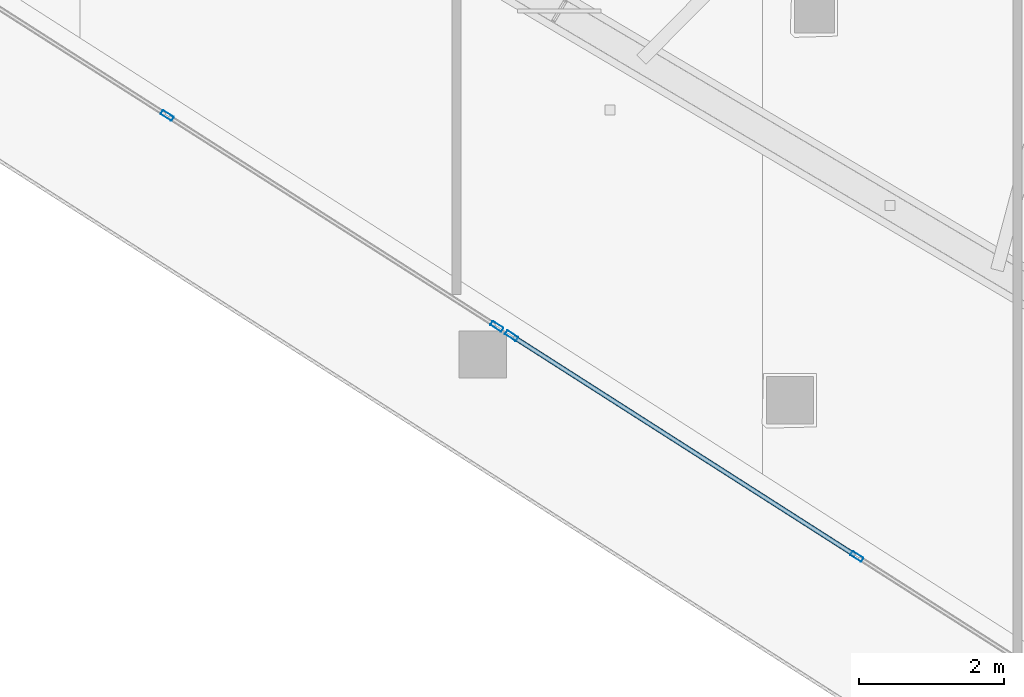
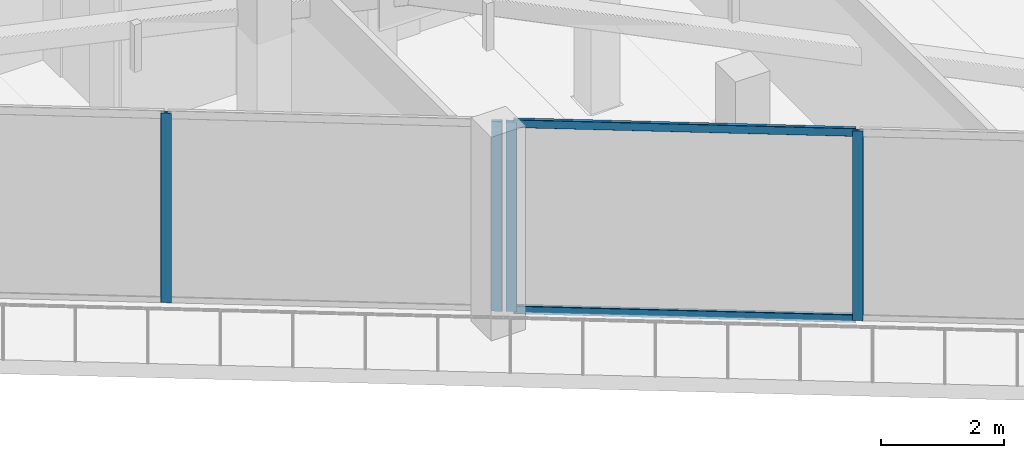
# One storey, part 2 of 45: 6 members, 2 elements without a shape of their own.
"""IFC4 building model written with IfcOpenShell, lengths in metres."""

from ifc_helpers import new_model, si_unit, direction, frame, origin, origin_2d, place, context, subcontext, project, spatial, hollow_rectangle, extrude, material, layer, layer_set, material_profile, profile_set, type_object, element, aggregate, save


model = new_model("IFC4")

# Units and contexts
model_context = context("Model", 3, precision=1e-05, world=origin(), true_north=direction((0.0, 1.0)))
body_context = subcontext(model_context, "Body", "Model", "MODEL_VIEW")
ifc_project = project(units=[si_unit("LENGTHUNIT", "METRE"), si_unit("AREAUNIT", "SQUARE_METRE"), si_unit("VOLUMEUNIT", "CUBIC_METRE"), si_unit("PLANEANGLEUNIT", "RADIAN"), si_unit("MASSUNIT", "GRAM", prefix="KILO")], contexts=[model_context])

# Site, building, storey
site_placement = place(None, origin())
site = spatial("IfcSite", under=ifc_project, at=site_placement, CompositionType="ELEMENT")
building_placement = place(site_placement, origin())
building = spatial("IfcBuilding", under=site, at=building_placement, Name="Qorvath Tower", CompositionType="ELEMENT")
storey_placement = place(building_placement, frame((0.0, 0.0, 126.0)))
storey = spatial("IfcBuildingStorey", under=building, at=storey_placement, Name="L28", CompositionType="ELEMENT", Elevation=126.0)

# Curtain wall, members
ifc_material_1 = material(Name="Anodised aluminium and triple low-E glass", Category="aluminium")
ifc_layer = layer(ifc_material_1, 0.179931640625)
ifc_layer_set = layer_set([ifc_layer], Name="CW-SYS-2")
curtain_wall_type = type_object("IfcCurtainWallType", Name="CW-SYS-2", PredefinedType="NOTDEFINED", material=ifc_layer_set)
curtain_wall_1_placement = place(storey_placement, origin())
curtain_wall_1 = element("IfcCurtainWall", 1, at=curtain_wall_1_placement, inside=storey, type_object=curtain_wall_type, Name="Curtain Wall CW-2 CW-T-L28-2.1", PredefinedType="NOTDEFINED")
ifc_material_2 = material(Name="Anodised aluminium 6063-T6", Category="aluminium")
ifc_material_profile_1 = material_profile(ifc_material_2, hollow_rectangle(XDim=0.06494140625, YDim=0.179931640625, WallThickness=0.00341796875, InnerFilletRadius=0.00341796875, OuterFilletRadius=0.007080078125, at=origin_2d()), Name="CWM 180x65")
ifc_profile_set_1 = profile_set([ifc_material_profile_1], Name="Anodised aluminium 6063-T6")
member_type_1 = type_object("IfcMemberType", Name="CWM-180", PredefinedType="MULLION", material=ifc_profile_set_1)
member_1_placement = place(storey_placement, frame((-39.60107421875, -15.537109375, 0.0), z_axis=(0.0, 0.0, 1.0), x_axis=(0.538534177075, 0.842603667285, 0.0)))
member_1 = element("IfcMember", 2, at=member_1_placement, type_object=member_type_1, Name="CW-2 mullion 5", PredefinedType="MULLION", context=body_context, shape_type="SweptSolid", body=[
    extrude(hollow_rectangle(XDim=0.06494140625, YDim=0.179931640625, WallThickness=0.00341796875, InnerFilletRadius=0.00341796875, OuterFilletRadius=0.007080078125, at=origin_2d()), origin(), (0.0, 0.0, 1.0), 3.77001953125),
])
member_2_placement = place(storey_placement, frame((-35.056396484375, -18.441650390625, 0.0), z_axis=(0.0, 0.0, 1.0), x_axis=(0.538534177075, 0.842603667285, 0.0)))
member_2 = element("IfcMember", 3, at=member_2_placement, type_object=member_type_1, Name="CW-2 mullion 6", PredefinedType="MULLION", context=body_context, shape_type="SweptSolid", body=[
    extrude(hollow_rectangle(XDim=0.06494140625, YDim=0.179931640625, WallThickness=0.00341796875, InnerFilletRadius=0.00341796875, OuterFilletRadius=0.007080078125, at=origin_2d()), origin(), (0.0, 0.0, 1.0), 3.77001953125),
])
aggregate(curtain_wall_1, [member_1, member_2])

curtain_wall_2_placement = place(storey_placement, origin())
curtain_wall_2 = element("IfcCurtainWall", 4, at=curtain_wall_2_placement, inside=storey, type_object=curtain_wall_type, Name="Curtain Wall CW-2 CW-T-L28-2.2", PredefinedType="NOTDEFINED")
member_3_placement = place(storey_placement, frame((-34.854248046875, -18.571044921875, 0.0), z_axis=(0.0, 0.0, 1.0), x_axis=(0.538536165559, 0.84260239638, 0.0)))
member_3 = element("IfcMember", 5, at=member_3_placement, type_object=member_type_1, Name="CW-2 mullion 1", PredefinedType="MULLION", context=body_context, shape_type="SweptSolid", body=[
    extrude(hollow_rectangle(XDim=0.06494140625, YDim=0.179931640625, WallThickness=0.00341796875, InnerFilletRadius=0.00341796875, OuterFilletRadius=0.007080078125, at=origin_2d()), origin(), (0.0, 0.0, 1.0), 3.77001953125),
])
member_4_placement = place(storey_placement, frame((-30.095458984375, -21.612548828125, 0.0), z_axis=(0.0, 0.0, 1.0), x_axis=(0.538536165559, 0.84260239638, 0.0)))
member_4 = element("IfcMember", 6, at=member_4_placement, type_object=member_type_1, Name="CW-2 mullion 2", PredefinedType="MULLION", context=body_context, shape_type="SweptSolid", body=[
    extrude(hollow_rectangle(XDim=0.06494140625, YDim=0.179931640625, WallThickness=0.00341796875, InnerFilletRadius=0.00341796875, OuterFilletRadius=0.007080078125, at=origin_2d()), origin(), (0.0, 0.0, 1.0), 3.77001953125),
])
ifc_material_3 = material(Name="Anodised aluminium 6063-T6", Category="aluminium")
ifc_material_profile_2 = material_profile(ifc_material_3, hollow_rectangle(XDim=0.06494140625, YDim=0.159912109375, WallThickness=0.00341796875, InnerFilletRadius=0.00341796875, OuterFilletRadius=0.007080078125, at=origin_2d()), Name="CWT 160x65")
ifc_profile_set_2 = profile_set([ifc_material_profile_2], Name="Anodised aluminium 6063-T6")
member_type_2 = type_object("IfcMemberType", Name="CWT-160", PredefinedType="USERDEFINED", material=ifc_profile_set_2)
member_5_placement = place(storey_placement, frame((-34.826904296875, -18.588623046875, 0.032470703125), z_axis=(0.842619091968, -0.538510042479, 0.0), x_axis=(0.538510042479, 0.842619091968, 0.0)))
member_5 = element("IfcMember", 7, at=member_5_placement, type_object=member_type_2, Name="CW-2 transom 1.1", ObjectType="TRANSOM", PredefinedType="USERDEFINED", context=body_context, shape_type="SweptSolid", body=[
    extrude(hollow_rectangle(XDim=0.06494140625, YDim=0.159912109375, WallThickness=0.00341796875, InnerFilletRadius=0.00341796875, OuterFilletRadius=0.007080078125, at=origin_2d()), origin(), (0.0, 0.0, 1.0), 5.582763671875),
])
member_6_placement = place(storey_placement, frame((-34.826904296875, -18.588623046875, 3.737548828125), z_axis=(0.842619091968, -0.538510042479, 0.0), x_axis=(0.538510042479, 0.842619091968, 0.0)))
member_6 = element("IfcMember", 8, at=member_6_placement, type_object=member_type_2, Name="CW-2 transom 1.2", ObjectType="TRANSOM", PredefinedType="USERDEFINED", context=body_context, shape_type="SweptSolid", body=[
    extrude(hollow_rectangle(XDim=0.06494140625, YDim=0.159912109375, WallThickness=0.00341796875, InnerFilletRadius=0.00341796875, OuterFilletRadius=0.007080078125, at=origin_2d()), origin(), (0.0, 0.0, 1.0), 5.582763671875),
])
aggregate(curtain_wall_2, [member_3, member_4, member_5, member_6])

save(model, "model.ifc")
